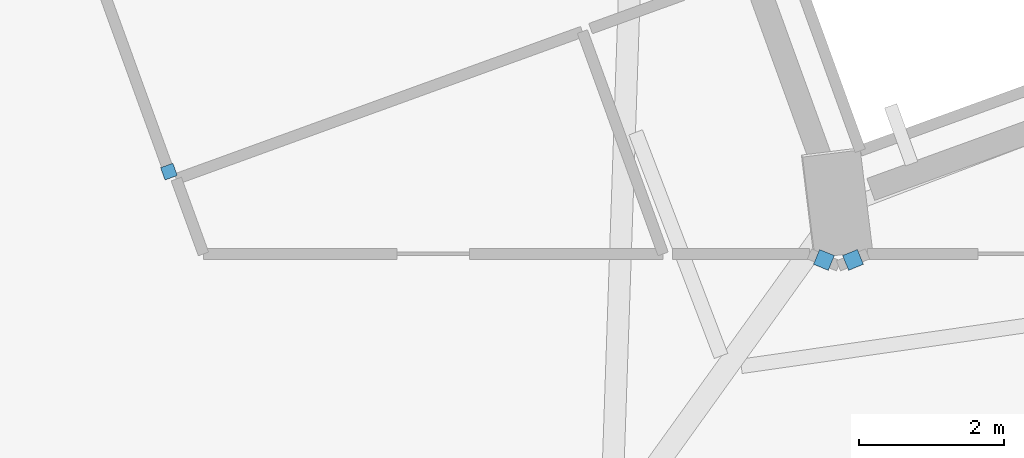
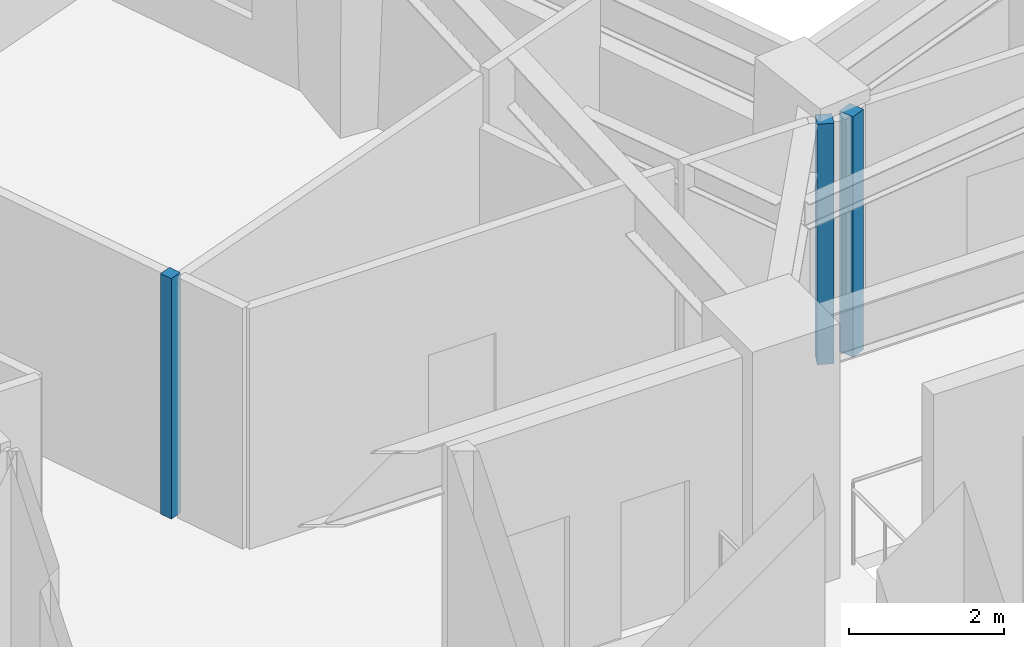
# One storey, part 3 of 17: 3 plates.
"""IFC4 building model written with IfcOpenShell, lengths in metres."""

import ifcopenshell
import ifcopenshell.guid

model = None  # the IFC model being written
_history = None  # IfcOwnerHistory: only IFC2X3 demands one
_inside = {}  # id of a spatial element -> (the spatial element, [elements in it])
_under = {}  # id of a project, library or spatial element -> (it, [spatial elements below it])
_declared = {}  # id of a project -> (the project, [libraries it declares])
_typed = {}  # id of a type object -> (the type object, [elements of that type])
_made_of = {}  # id of a material, layer set ... -> (it, [elements and type objects made of it])


def new_model(schema):
    """Start an empty IFC model of exactly this schema.

    Asked for "IFC4X3", IfcOpenShell would pick the latest addendum, in which some entities
    have other attributes; the version numbers below select the first issue.
    IFC2X3 requires an IfcOwnerHistory on every rooted entity: one is made here for all.
    """
    global model, _history
    if schema == "IFC4X3":
        model = ifcopenshell.file(schema_version=(4, 3, 0, 0))
    else:
        model = ifcopenshell.file(schema=schema)
    _inside.clear()
    _under.clear()
    _declared.clear()
    _typed.clear()
    _made_of.clear()
    _history = None
    if model.schema == "IFC2X3":
        org = make("IfcOrganization", Name="unknown")
        user = make(
            "IfcPersonAndOrganization",
            ThePerson=make("IfcPerson", FamilyName="unknown"),
            TheOrganization=org,
        )
        app = make(
            "IfcApplication",
            ApplicationDeveloper=org,
            Version="unknown",
            ApplicationFullName="unknown",
            ApplicationIdentifier="unknown",
        )
        _history = make(
            "IfcOwnerHistory",
            OwningUser=user,
            OwningApplication=app,
            ChangeAction="ADDED",
            CreationDate=0,
        )
    return model


def make(cls, **values):
    """One entity of the class cls with the attributes given. An attribute that is None is left unset."""
    return model.create_entity(
        cls, **{name: value for name, value in values.items() if value is not None}
    )


def rooted(cls, **values):
    """An entity with a GlobalId (a new one), such as an element, a storey or a relation."""
    return make(cls, GlobalId=ifcopenshell.guid.new(), OwnerHistory=_history, **values)


def si_unit(unit_type, name, prefix=None):
    """IfcSIUnit, for example si_unit("LENGTHUNIT", "METRE", prefix="MILLI")."""
    return make("IfcSIUnit", UnitType=unit_type, Prefix=prefix, Name=name)


def assignment(units):
    """IfcUnitAssignment: the units of a project."""
    return None if units is None else make("IfcUnitAssignment", Units=units)


def point(xyz):
    """IfcCartesianPoint."""
    return None if xyz is None else make("IfcCartesianPoint", Coordinates=xyz)


def direction(xyz):
    """IfcDirection."""
    return None if xyz is None else make("IfcDirection", DirectionRatios=xyz)


def frame(location, z_axis=None, x_axis=None):
    """IfcAxis2Placement3D, a coordinate frame: its origin and axes. An axis left out is left unset."""
    return make(
        "IfcAxis2Placement3D",
        Location=point(location),
        Axis=direction(z_axis),
        RefDirection=direction(x_axis),
    )


def frame_2d(location, x_axis=None):
    """IfcAxis2Placement2D, a coordinate frame in the plane: its origin and x axis."""
    return make(
        "IfcAxis2Placement2D", Location=point(location), RefDirection=direction(x_axis)
    )


def origin():
    """The frame at (0, 0, 0) with its axes left unset."""
    return frame((0.0, 0.0, 0.0))


def origin_2d():
    """The frame at (0, 0) in the plane with its x axis left unset."""
    return frame_2d((0.0, 0.0))


def place(relative_to, where):
    """IfcLocalPlacement: puts the frame where relative to a parent placement (None: the world)."""
    return make(
        "IfcLocalPlacement", PlacementRelTo=relative_to, RelativePlacement=where
    )


def context(
    kind, dimensions, precision=None, world=None, true_north=None, identifier=None
):
    """IfcGeometricRepresentationContext, for example the 3D "Model" context."""
    return make(
        "IfcGeometricRepresentationContext",
        ContextIdentifier=identifier,
        ContextType=kind,
        CoordinateSpaceDimension=dimensions,
        Precision=precision,
        WorldCoordinateSystem=world,
        TrueNorth=true_north,
    )


def subcontext(parent, identifier, kind, view, scale=None):
    """IfcGeometricRepresentationSubContext, for example "Body" below "Model"."""
    return make(
        "IfcGeometricRepresentationSubContext",
        ContextIdentifier=identifier,
        ContextType=kind,
        ParentContext=parent,
        TargetScale=scale,
        TargetView=view,
    )


def project(units=None, contexts=None):
    """IfcProject with its units and contexts."""
    return rooted(
        "IfcProject",
        Name="project",
        RepresentationContexts=contexts,
        UnitsInContext=assignment(units),
    )


def spatial(cls, under=None, at=None, **own):
    """A site, building, storey or space (cls), placed at a placement, below another one or the project."""
    s = rooted(cls, ObjectPlacement=at, **own)
    if under is not None:
        _under.setdefault(under.id(), (under, []))[1].append(s)
    return s


def profile(cls, at=None, kind="AREA", **sizes):
    """A parametric profile (cls). Its sizes go by their IFC names, for example OverallWidth=200.0."""
    return make(cls, ProfileType=kind, Position=at, **sizes)


def rectangle(**sizes):
    """IfcRectangleProfileDef."""
    return profile("IfcRectangleProfileDef", **sizes)


def extrude(swept, where, along, depth):
    """IfcExtrudedAreaSolid: the profile swept, set in the frame where, extruded along a direction by depth."""
    return make(
        "IfcExtrudedAreaSolid",
        SweptArea=swept,
        Position=where,
        ExtrudedDirection=direction(along),
        Depth=depth,
    )


def shape(context_of_items, identifier, shape_type, items):
    """IfcShapeRepresentation: the items that make up one representation, for example the "Body"."""
    return make(
        "IfcShapeRepresentation",
        ContextOfItems=context_of_items,
        RepresentationIdentifier=identifier,
        RepresentationType=shape_type,
        Items=items,
    )


def material(Name=None, Category=None):
    """IfcMaterial."""
    return make("IfcMaterial", Name=Name, Category=Category)


def layer(
    of_material, thickness, ventilated=None, Name=None, Category=None, Priority=None
):
    """IfcMaterialLayer: one layer of a wall or slab, of a material (None: an air gap)."""
    return make(
        "IfcMaterialLayer",
        Material=of_material,
        LayerThickness=thickness,
        IsVentilated=ventilated,
        Name=Name,
        Category=Category,
        Priority=Priority,
    )


def layer_set(layers, Name=None):
    """IfcMaterialLayerSet."""
    return make("IfcMaterialLayerSet", MaterialLayers=layers, LayerSetName=Name)


def made_of(thing, what):
    """Note that an element or type object is made of a material, layer set ...; save() writes the relation."""
    if what is not None:
        _made_of.setdefault(what.id(), (what, []))[1].append(thing)
    return thing


def type_object(cls, material=None, **own):
    """A type object (cls), such as IfcWallType, which elements share."""
    return made_of(rooted(cls, **own), material)


def element(
    cls,
    number,
    at=None,
    inside=None,
    cuts=None,
    type_object=None,
    material=None,
    context=None,
    identifier="Body",
    shape_type=None,
    held_by="IfcProductDefinitionShape",
    body=None,
    shapes=None,
    **own,
):
    """One element of the class cls, such as IfcWall. Its Tag is "e" and its number.

    at: its placement. inside: the storey or other place that contains it. cuts: it is an
    opening in that element (IfcRelVoidsElement). A single representation is given by context,
    identifier, shape_type and body (its items); several are given by shapes. held_by: the class
    of the entity that holds the representations. save() writes the other relations.
    """
    e = rooted(cls, Tag="e%d" % number, ObjectPlacement=at, **own)
    if body is not None:
        shapes = [shape(context, identifier, shape_type, body)]
    if shapes is not None:
        e.Representation = make(held_by, Representations=shapes)
    if inside is not None:
        _inside.setdefault(inside.id(), (inside, []))[1].append(e)
    if cuts is not None:
        rooted(
            "IfcRelVoidsElement", RelatingBuildingElement=cuts, RelatedOpeningElement=e
        )
    if type_object is not None:
        _typed.setdefault(type_object.id(), (type_object, []))[1].append(e)
    return made_of(e, material)


def aggregate(whole, parts):
    """IfcRelAggregates: a whole, such as a stair, and the parts it consists of."""
    return rooted("IfcRelAggregates", RelatingObject=whole, RelatedObjects=parts)


def save(model, path):
    """Write the relations noted so far, then the file.

    IfcRelAggregates (storeys below a building ...), IfcRelContainedInSpatialStructure (elements
    in a storey), IfcRelDefinesByType, IfcRelAssociatesMaterial and IfcRelDeclares: one each for
    every whole, place, type object, material and project.
    """
    for whole, parts in _under.values():
        aggregate(whole, parts)
    for where, things in _inside.values():
        rooted(
            "IfcRelContainedInSpatialStructure",
            RelatedElements=things,
            RelatingStructure=where,
        )
    for kind, things in _typed.values():
        rooted("IfcRelDefinesByType", RelatedObjects=things, RelatingType=kind)
    for what, things in _made_of.values():
        rooted("IfcRelAssociatesMaterial", RelatedObjects=things, RelatingMaterial=what)
    for by, libraries in _declared.values():
        rooted("IfcRelDeclares", RelatingContext=by, RelatedDefinitions=libraries)
    model.write(path)


model = new_model("IFC4")

# Units and contexts
model_context = context("Model", 3, precision=1e-05, world=origin(), true_north=direction((0.0, 1.0)))
body_context = subcontext(model_context, "Body", "Model", "MODEL_VIEW")
ifc_project = project(units=[si_unit("LENGTHUNIT", "METRE"), si_unit("AREAUNIT", "SQUARE_METRE"), si_unit("VOLUMEUNIT", "CUBIC_METRE"), si_unit("PLANEANGLEUNIT", "RADIAN"), si_unit("MASSUNIT", "GRAM", prefix="KILO")], contexts=[model_context])

# Site, building, storey
site_placement = place(None, origin())
site = spatial("IfcSite", under=ifc_project, at=site_placement, CompositionType="ELEMENT")
building_placement = place(site_placement, origin())
building = spatial("IfcBuilding", under=site, at=building_placement, Name="Gaonmaruhae Medical Tower", CompositionType="ELEMENT")
storey_placement = place(building_placement, frame((0.0, 0.0, 108.39990234375)))
storey = spatial("IfcBuildingStorey", under=building, at=storey_placement, Name="L25", CompositionType="ELEMENT", Elevation=108.39990234375)

# Plates
ifc_material = material(Name="Anodised aluminium 6063-T6", Category="aluminium")
ifc_layer = layer(ifc_material, 0.011962890625)
ifc_layer_set = layer_set([ifc_layer], Name="Anodised aluminium 6063-T6")
plate_type = type_object("IfcPlateType", Name="PP-01 Interior Partition Corner Stiffener Plate", PredefinedType="SHEET", material=ifc_layer_set)
plate_placement = place(storey_placement, frame((18.709228515625, 21.7138671875, 0.0), z_axis=(0.0, 0.0, 1.0), x_axis=(-0.34121638257, 0.939984776614, 0.0)))
element("IfcPlate", 1, at=plate_placement, inside=storey, type_object=plate_type, Name="L25 Partition End Jamb Post Plate PLT-L25-ENDP-PW095-0", PredefinedType="SHEET", context=body_context, shape_type="SweptSolid", body=[
    extrude(rectangle(XDim=0.179931640625, YDim=0.179931640625, at=origin_2d()), origin(), (0.0, 0.0, 1.0), 3.780029296875),
])
for number, where, z_axis, x_axis, name in (
    (2, (28.133056640625, 20.49755859375, 0.0), (0.0, 0.0, 1.0), (-0.924439582641, -0.381328543447, 0.0), "L25 Partition Corner Stiffener Plate PLT-L25-JGP-PW064"),
    (3, (27.73291015625, 20.49755859375, 0.0), (0.0, 0.0, 1.0), (-0.924439582641, 0.381328543447, 0.0), "L25 Partition Corner Stiffener Plate PLT-L25-JGP-PW065"),
):
    element("IfcPlate", number, at=place(storey_placement, frame(where, z_axis=z_axis, x_axis=x_axis)), inside=storey, type_object=plate_type, Name=name, PredefinedType="SHEET", context=body_context, shape_type="SweptSolid", body=[
        extrude(rectangle(XDim=0.219970703125, YDim=0.219970703125, at=origin_2d()), origin(), (0.0, 0.0, 1.0), 3.780029296875),
    ])

save(model, "model.ifc")
